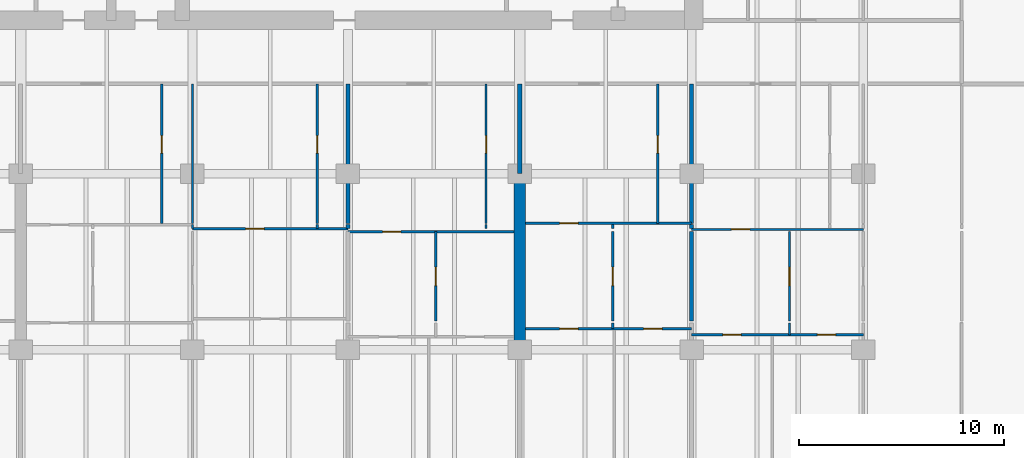
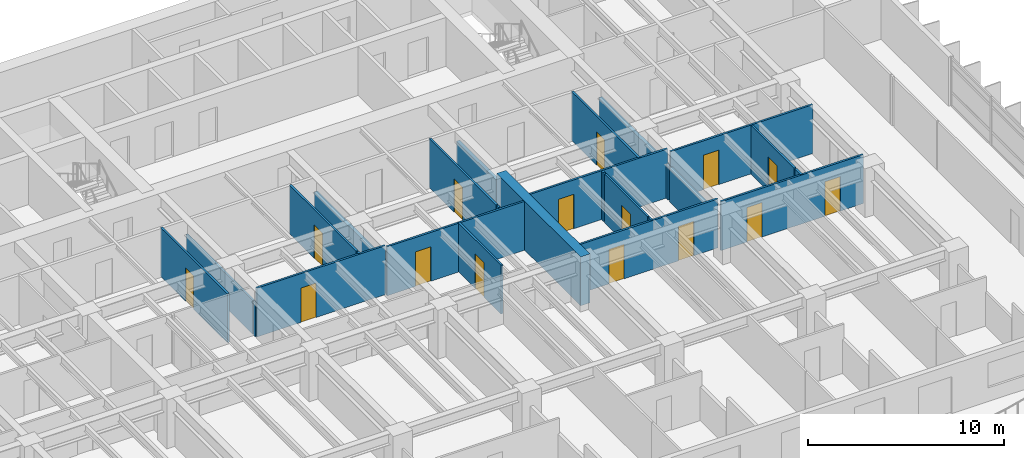
# One storey, part 9 of 17: 27 walls, 15 doors, 15 openings.
"""IFC4 building model written with IfcOpenShell, lengths in metres."""

import ifcopenshell
import ifcopenshell.guid

model = None  # the IFC model being written
_history = None  # IfcOwnerHistory: only IFC2X3 demands one
_inside = {}  # id of a spatial element -> (the spatial element, [elements in it])
_under = {}  # id of a project, library or spatial element -> (it, [spatial elements below it])
_declared = {}  # id of a project -> (the project, [libraries it declares])
_typed = {}  # id of a type object -> (the type object, [elements of that type])
_made_of = {}  # id of a material, layer set ... -> (it, [elements and type objects made of it])


def new_model(schema):
    """Start an empty IFC model of exactly this schema.

    Asked for "IFC4X3", IfcOpenShell would pick the latest addendum, in which some entities
    have other attributes; the version numbers below select the first issue.
    IFC2X3 requires an IfcOwnerHistory on every rooted entity: one is made here for all.
    """
    global model, _history
    if schema == "IFC4X3":
        model = ifcopenshell.file(schema_version=(4, 3, 0, 0))
    else:
        model = ifcopenshell.file(schema=schema)
    _inside.clear()
    _under.clear()
    _declared.clear()
    _typed.clear()
    _made_of.clear()
    _history = None
    if model.schema == "IFC2X3":
        org = make("IfcOrganization", Name="unknown")
        user = make(
            "IfcPersonAndOrganization",
            ThePerson=make("IfcPerson", FamilyName="unknown"),
            TheOrganization=org,
        )
        app = make(
            "IfcApplication",
            ApplicationDeveloper=org,
            Version="unknown",
            ApplicationFullName="unknown",
            ApplicationIdentifier="unknown",
        )
        _history = make(
            "IfcOwnerHistory",
            OwningUser=user,
            OwningApplication=app,
            ChangeAction="ADDED",
            CreationDate=0,
        )
    return model


def make(cls, **values):
    """One entity of the class cls with the attributes given. An attribute that is None is left unset."""
    return model.create_entity(
        cls, **{name: value for name, value in values.items() if value is not None}
    )


def rooted(cls, **values):
    """An entity with a GlobalId (a new one), such as an element, a storey or a relation."""
    return make(cls, GlobalId=ifcopenshell.guid.new(), OwnerHistory=_history, **values)


def si_unit(unit_type, name, prefix=None):
    """IfcSIUnit, for example si_unit("LENGTHUNIT", "METRE", prefix="MILLI")."""
    return make("IfcSIUnit", UnitType=unit_type, Prefix=prefix, Name=name)


def assignment(units):
    """IfcUnitAssignment: the units of a project."""
    return None if units is None else make("IfcUnitAssignment", Units=units)


def point(xyz):
    """IfcCartesianPoint."""
    return None if xyz is None else make("IfcCartesianPoint", Coordinates=xyz)


def direction(xyz):
    """IfcDirection."""
    return None if xyz is None else make("IfcDirection", DirectionRatios=xyz)


def frame(location, z_axis=None, x_axis=None):
    """IfcAxis2Placement3D, a coordinate frame: its origin and axes. An axis left out is left unset."""
    return make(
        "IfcAxis2Placement3D",
        Location=point(location),
        Axis=direction(z_axis),
        RefDirection=direction(x_axis),
    )


def frame_2d(location, x_axis=None):
    """IfcAxis2Placement2D, a coordinate frame in the plane: its origin and x axis."""
    return make(
        "IfcAxis2Placement2D", Location=point(location), RefDirection=direction(x_axis)
    )


def origin():
    """The frame at (0, 0, 0) with its axes left unset."""
    return frame((0.0, 0.0, 0.0))


def place(relative_to, where):
    """IfcLocalPlacement: puts the frame where relative to a parent placement (None: the world)."""
    return make(
        "IfcLocalPlacement", PlacementRelTo=relative_to, RelativePlacement=where
    )


def context(
    kind, dimensions, precision=None, world=None, true_north=None, identifier=None
):
    """IfcGeometricRepresentationContext, for example the 3D "Model" context."""
    return make(
        "IfcGeometricRepresentationContext",
        ContextIdentifier=identifier,
        ContextType=kind,
        CoordinateSpaceDimension=dimensions,
        Precision=precision,
        WorldCoordinateSystem=world,
        TrueNorth=true_north,
    )


def subcontext(parent, identifier, kind, view, scale=None):
    """IfcGeometricRepresentationSubContext, for example "Body" below "Model"."""
    return make(
        "IfcGeometricRepresentationSubContext",
        ContextIdentifier=identifier,
        ContextType=kind,
        ParentContext=parent,
        TargetScale=scale,
        TargetView=view,
    )


def project(units=None, contexts=None):
    """IfcProject with its units and contexts."""
    return rooted(
        "IfcProject",
        Name="project",
        RepresentationContexts=contexts,
        UnitsInContext=assignment(units),
    )


def spatial(cls, under=None, at=None, **own):
    """A site, building, storey or space (cls), placed at a placement, below another one or the project."""
    s = rooted(cls, ObjectPlacement=at, **own)
    if under is not None:
        _under.setdefault(under.id(), (under, []))[1].append(s)
    return s


def profile(cls, at=None, kind="AREA", **sizes):
    """A parametric profile (cls). Its sizes go by their IFC names, for example OverallWidth=200.0."""
    return make(cls, ProfileType=kind, Position=at, **sizes)


def rectangle(**sizes):
    """IfcRectangleProfileDef."""
    return profile("IfcRectangleProfileDef", **sizes)


def extrude(swept, where, along, depth):
    """IfcExtrudedAreaSolid: the profile swept, set in the frame where, extruded along a direction by depth."""
    return make(
        "IfcExtrudedAreaSolid",
        SweptArea=swept,
        Position=where,
        ExtrudedDirection=direction(along),
        Depth=depth,
    )


def shape(context_of_items, identifier, shape_type, items):
    """IfcShapeRepresentation: the items that make up one representation, for example the "Body"."""
    return make(
        "IfcShapeRepresentation",
        ContextOfItems=context_of_items,
        RepresentationIdentifier=identifier,
        RepresentationType=shape_type,
        Items=items,
    )


def material(Name=None, Category=None):
    """IfcMaterial."""
    return make("IfcMaterial", Name=Name, Category=Category)


def layer(
    of_material, thickness, ventilated=None, Name=None, Category=None, Priority=None
):
    """IfcMaterialLayer: one layer of a wall or slab, of a material (None: an air gap)."""
    return make(
        "IfcMaterialLayer",
        Material=of_material,
        LayerThickness=thickness,
        IsVentilated=ventilated,
        Name=Name,
        Category=Category,
        Priority=Priority,
    )


def layer_set(layers, Name=None):
    """IfcMaterialLayerSet."""
    return make("IfcMaterialLayerSet", MaterialLayers=layers, LayerSetName=Name)


def made_of(thing, what):
    """Note that an element or type object is made of a material, layer set ...; save() writes the relation."""
    if what is not None:
        _made_of.setdefault(what.id(), (what, []))[1].append(thing)
    return thing


def type_object(cls, material=None, **own):
    """A type object (cls), such as IfcWallType, which elements share."""
    return made_of(rooted(cls, **own), material)


def element(
    cls,
    number,
    at=None,
    inside=None,
    cuts=None,
    type_object=None,
    material=None,
    context=None,
    identifier="Body",
    shape_type=None,
    held_by="IfcProductDefinitionShape",
    body=None,
    shapes=None,
    **own,
):
    """One element of the class cls, such as IfcWall. Its Tag is "e" and its number.

    at: its placement. inside: the storey or other place that contains it. cuts: it is an
    opening in that element (IfcRelVoidsElement). A single representation is given by context,
    identifier, shape_type and body (its items); several are given by shapes. held_by: the class
    of the entity that holds the representations. save() writes the other relations.
    """
    e = rooted(cls, Tag="e%d" % number, ObjectPlacement=at, **own)
    if body is not None:
        shapes = [shape(context, identifier, shape_type, body)]
    if shapes is not None:
        e.Representation = make(held_by, Representations=shapes)
    if inside is not None:
        _inside.setdefault(inside.id(), (inside, []))[1].append(e)
    if cuts is not None:
        rooted(
            "IfcRelVoidsElement", RelatingBuildingElement=cuts, RelatedOpeningElement=e
        )
    if type_object is not None:
        _typed.setdefault(type_object.id(), (type_object, []))[1].append(e)
    return made_of(e, material)


def fill(opening, filler):
    """IfcRelFillsElement: the door or window that sits in an opening."""
    return rooted(
        "IfcRelFillsElement",
        RelatingOpeningElement=opening,
        RelatedBuildingElement=filler,
    )


def aggregate(whole, parts):
    """IfcRelAggregates: a whole, such as a stair, and the parts it consists of."""
    return rooted("IfcRelAggregates", RelatingObject=whole, RelatedObjects=parts)


def save(model, path):
    """Write the relations noted so far, then the file.

    IfcRelAggregates (storeys below a building ...), IfcRelContainedInSpatialStructure (elements
    in a storey), IfcRelDefinesByType, IfcRelAssociatesMaterial and IfcRelDeclares: one each for
    every whole, place, type object, material and project.
    """
    for whole, parts in _under.values():
        aggregate(whole, parts)
    for where, things in _inside.values():
        rooted(
            "IfcRelContainedInSpatialStructure",
            RelatedElements=things,
            RelatingStructure=where,
        )
    for kind, things in _typed.values():
        rooted("IfcRelDefinesByType", RelatedObjects=things, RelatingType=kind)
    for what, things in _made_of.values():
        rooted("IfcRelAssociatesMaterial", RelatedObjects=things, RelatingMaterial=what)
    for by, libraries in _declared.values():
        rooted("IfcRelDeclares", RelatingContext=by, RelatedDefinitions=libraries)
    model.write(path)


model = new_model("IFC4")

# Units and contexts
model_context = context("Model", 3, precision=1e-05, world=origin(), true_north=direction((0.0, 1.0)))
body_context = subcontext(model_context, "Body", "Model", "MODEL_VIEW")
ifc_project = project(units=[si_unit("LENGTHUNIT", "METRE"), si_unit("AREAUNIT", "SQUARE_METRE"), si_unit("VOLUMEUNIT", "CUBIC_METRE"), si_unit("PLANEANGLEUNIT", "RADIAN"), si_unit("MASSUNIT", "GRAM", prefix="KILO")], contexts=[model_context])

# Site, building, storey
site_placement = place(None, origin())
site = spatial("IfcSite", under=ifc_project, at=site_placement, CompositionType="ELEMENT")
building_placement = place(site_placement, origin())
building = spatial("IfcBuilding", under=site, at=building_placement, Name="Caelmar Bay Residences", CompositionType="ELEMENT")
storey_placement = place(building_placement, frame((0.0, 0.0, 59.699951171875)))
storey = spatial("IfcBuildingStorey", under=building, at=storey_placement, Name="L15", CompositionType="ELEMENT", Elevation=59.699951171875)

# Wall
ifc_material_1 = material(Name="Concrete f'c 70 MPa (10,000 psi)", Category="concrete")
ifc_layer_1 = layer(ifc_material_1, 0.550048828125)
ifc_layer_set_1 = layer_set([ifc_layer_1], Name="Concrete f'c 70 MPa (10,000 psi)")
wall_type_1 = type_object("IfcWallType", Name="SW-XSLB-550", PredefinedType="SHEAR", material=ifc_layer_set_1)
wall_1_placement = place(storey_placement, frame((51.10009765625, 20.800048828125, 0.0), z_axis=(0.0, 0.0, 1.0), x_axis=(0.0, 1.0, 0.0)))
element("IfcWall", 1, at=wall_1_placement, inside=storey, type_object=wall_type_1, Name="L15 Transverse Cross-Slab Shear Wall E8", PredefinedType="SHEAR", context=body_context, shape_type="SweptSolid", body=[
    extrude(rectangle(XDim=8.599853515625, YDim=0.550048828125, at=frame_2d((4.2998046875, 0.0))), origin(), (0.0, 0.0, 1.0), 3.050048828125),
])

# Wall, opening, door
ifc_material_2 = material(Name="Acoustic metal-stud gypsum partition 120 mm")
ifc_layer_2 = layer(ifc_material_2, 0.1201171875)
ifc_layer_set_2 = layer_set([ifc_layer_2], Name="Acoustic metal-stud gypsum partition 120 mm")
wall_type_2 = type_object("IfcWallType", Name="W-PRT-120", PredefinedType="PARTITIONING", material=ifc_layer_set_2)
wall_2_placement = place(storey_placement, frame((33.60009765625, 26.97998046875, 0.0), z_axis=(0.0, 0.0, 1.0), x_axis=(0.0, 1.0, 0.0)))
wall_2 = element("IfcWall", 2, at=wall_2_placement, inside=storey, type_object=wall_type_2, Name="L15 Partition Wall V036", PredefinedType="PARTITIONING", context=body_context, shape_type="SweptSolid", body=[
    extrude(rectangle(XDim=6.820068359375, YDim=0.1201171875, at=frame_2d((3.41015625, 0.0))), origin(), (0.0, 0.0, 1.0), 3.050048828125),
])
opening_1_placement = place(wall_2_placement, frame((3.43505859375, 0.0, 0.0)))
opening_1 = element("IfcOpeningElement", 3, at=opening_1_placement, cuts=wall_2, Name="Opening D-L15-133", PredefinedType="OPENING", context=body_context, shape_type="SweptSolid", body=[
    extrude(rectangle(XDim=0.85009765625, YDim=2.10009765625, at=frame_2d((0.425048828125, 1.050048828125))), frame((0.0, 0.070068359375, 0.0), z_axis=(0.0, -1.0, 0.0), x_axis=(1.0, 0.0, 0.0)), (0.0, 0.0, 1.0), 0.14013671875),
])
ifc_material_3 = material(Name="Solid walnut timber interior door leaf and frame", Category="wood")
ifc_layer_3 = layer(ifc_material_3, 0.050048828125)
ifc_layer_set_3 = layer_set([ifc_layer_3], Name="Solid walnut timber interior door leaf and frame")
door_type_1 = type_object("IfcDoorType", Name="D-BATH-850", OperationType="NOTDEFINED", PredefinedType="DOOR", material=ifc_layer_set_3)
door_1_placement = place(opening_1_placement, origin())
door_1 = element("IfcDoor", 4, at=door_1_placement, inside=storey, type_object=door_type_1, Name="L15 Residence 02 Guest Bathroom Door", OperationType="SINGLE_SWING_RIGHT", OverallHeight=2.10009765625, OverallWidth=0.85009765625, PredefinedType="DOOR", context=body_context, shape_type="SweptSolid", body=[
    extrude(rectangle(XDim=0.85009765625, YDim=2.10009765625, at=frame_2d((0.425048828125, 1.050048828125))), frame((0.0, 0.02490234375, 0.0), z_axis=(0.0, -1.0, 0.0), x_axis=(1.0, 0.0, 0.0)), (0.0, 0.0, 1.0), 0.050048828125),
])
fill(opening_1, door_1)

# Walls
wall_3_placement = place(storey_placement, frame((35.10009765625, 26.719970703125, 0.0), z_axis=(0.0, 0.0, 1.0), x_axis=(0.0, 1.0, 0.0)))
element("IfcWall", 5, at=wall_3_placement, inside=storey, type_object=wall_type_2, Name="L15 Partition Wall V040", PredefinedType="PARTITIONING", context=body_context, shape_type="SweptSolid", body=[
    extrude(rectangle(XDim=0.199951171875, YDim=0.1201171875, at=frame_2d((0.10009765625, 0.0))), origin(), (0.0, 0.0, 1.0), 2.110107421875),
])
wall_4_placement = place(storey_placement, frame((35.10009765625, 26.97998046875, 0.0), z_axis=(0.0, 0.0, 1.0), x_axis=(0.0, 1.0, 0.0)))
element("IfcWall", 6, at=wall_4_placement, inside=storey, type_object=wall_type_2, Name="L15 Partition Wall V041", PredefinedType="PARTITIONING", context=body_context, shape_type="SweptSolid", body=[
    extrude(rectangle(XDim=6.820068359375, YDim=0.1201171875, at=frame_2d((3.41015625, 0.0))), origin(), (0.0, 0.0, 1.0), 2.110107421875),
])
wall_5_placement = place(storey_placement, frame((41.199951171875, 26.719970703125, 0.0), z_axis=(0.0, 0.0, 1.0), x_axis=(0.0, 1.0, 0.0)))
element("IfcWall", 7, at=wall_5_placement, inside=storey, type_object=wall_type_2, Name="L15 Partition Wall V044", PredefinedType="PARTITIONING", context=body_context, shape_type="SweptSolid", body=[
    extrude(rectangle(XDim=0.199951171875, YDim=0.1201171875, at=frame_2d((0.10009765625, 0.0))), origin(), (0.0, 0.0, 1.0), 3.050048828125),
])

# Wall, opening, door
wall_6_placement = place(storey_placement, frame((41.199951171875, 26.97998046875, 0.0), z_axis=(0.0, 0.0, 1.0), x_axis=(0.0, 1.0, 0.0)))
wall_6 = element("IfcWall", 8, at=wall_6_placement, inside=storey, type_object=wall_type_2, Name="L15 Partition Wall V045", PredefinedType="PARTITIONING", context=body_context, shape_type="SweptSolid", body=[
    extrude(rectangle(XDim=6.820068359375, YDim=0.1201171875, at=frame_2d((3.41015625, 0.0))), origin(), (0.0, 0.0, 1.0), 3.050048828125),
])
opening_2_placement = place(wall_6_placement, frame((3.43505859375, 0.0, 0.0)))
opening_2 = element("IfcOpeningElement", 9, at=opening_2_placement, cuts=wall_6, Name="Opening D-L15-139", PredefinedType="OPENING", context=body_context, shape_type="SweptSolid", body=[
    extrude(rectangle(XDim=0.85009765625, YDim=2.10009765625, at=frame_2d((0.425048828125, 1.050048828125))), frame((0.0, 0.070068359375, 0.0), z_axis=(0.0, -1.0, 0.0), x_axis=(1.0, 0.0, 0.0)), (0.0, 0.0, 1.0), 0.14013671875),
])
door_2_placement = place(opening_2_placement, origin())
door_2 = element("IfcDoor", 10, at=door_2_placement, inside=storey, type_object=door_type_1, Name="L15 Residence 02 En-Suite Bathroom 1 Door", OperationType="SINGLE_SWING_RIGHT", OverallHeight=2.10009765625, OverallWidth=0.85009765625, PredefinedType="DOOR", context=body_context, shape_type="SweptSolid", body=[
    extrude(rectangle(XDim=0.85009765625, YDim=2.10009765625, at=frame_2d((0.425048828125, 1.050048828125))), frame((0.0, 0.02490234375, 0.0), z_axis=(0.0, -1.0, 0.0), x_axis=(1.0, 0.0, 0.0)), (0.0, 0.0, 1.0), 0.050048828125),
])
fill(opening_2, door_2)

wall_7_placement = place(storey_placement, frame((46.986083984375, 22.199951171875, 0.0), z_axis=(0.0, 0.0, 1.0), x_axis=(0.0, 1.0, 0.0)))
wall_7 = element("IfcWall", 11, at=wall_7_placement, inside=storey, type_object=wall_type_2, Name="L15 Partition Wall V058", PredefinedType="PARTITIONING", context=body_context, shape_type="SweptSolid", body=[
    extrude(rectangle(XDim=4.380126953125, YDim=0.1201171875, at=frame_2d((2.18994140625, 0.0))), origin(), (0.0, 0.0, 1.0), 3.050048828125),
])
opening_3_placement = place(wall_7_placement, frame((1.739990234375, 0.0, 0.0)))
opening_3 = element("IfcOpeningElement", 12, at=opening_3_placement, cuts=wall_7, Name="Opening D-L15-145", PredefinedType="OPENING", context=body_context, shape_type="SweptSolid", body=[
    extrude(rectangle(XDim=0.89990234375, YDim=2.14990234375, at=frame_2d((0.449951171875, 1.074951171875))), frame((0.0, 0.070068359375, 0.0), z_axis=(0.0, -1.0, 0.0), x_axis=(1.0, 0.0, 0.0)), (0.0, 0.0, 1.0), 0.14013671875),
])
ifc_layer_4 = layer(ifc_material_3, 0.050048828125)
ifc_layer_set_4 = layer_set([ifc_layer_4], Name="Solid walnut timber interior door leaf and frame")
door_type_2 = type_object("IfcDoorType", Name="D-ROOM-900", OperationType="NOTDEFINED", PredefinedType="DOOR", material=ifc_layer_set_4)
door_3_placement = place(opening_3_placement, origin())
door_3 = element("IfcDoor", 13, at=door_3_placement, inside=storey, type_object=door_type_2, Name="L15 Residence 03 Private Meeting Room Door", OperationType="SINGLE_SWING_RIGHT", OverallHeight=2.14990234375, OverallWidth=0.89990234375, PredefinedType="DOOR", context=body_context, shape_type="SweptSolid", body=[
    extrude(rectangle(XDim=0.89990234375, YDim=2.14990234375, at=frame_2d((0.449951171875, 1.074951171875))), frame((0.0, 0.02490234375, 0.0), z_axis=(0.0, -1.0, 0.0), x_axis=(1.0, 0.0, 0.0)), (0.0, 0.0, 1.0), 0.050048828125),
])
fill(opening_3, door_3)

# Wall
wall_8_placement = place(storey_placement, frame((49.449951171875, 26.719970703125, 0.0), z_axis=(0.0, 0.0, 1.0), x_axis=(0.0, 1.0, 0.0)))
element("IfcWall", 14, at=wall_8_placement, inside=storey, type_object=wall_type_2, Name="L15 Partition Wall V060", PredefinedType="PARTITIONING", context=body_context, shape_type="SweptSolid", body=[
    extrude(rectangle(XDim=0.199951171875, YDim=0.1201171875, at=frame_2d((0.10009765625, 0.0))), origin(), (0.0, 0.0, 1.0), 3.050048828125),
])

# Wall, opening, door
wall_9_placement = place(storey_placement, frame((49.449951171875, 26.97998046875, 0.0), z_axis=(0.0, 0.0, 1.0), x_axis=(0.0, 1.0, 0.0)))
wall_9 = element("IfcWall", 15, at=wall_9_placement, inside=storey, type_object=wall_type_2, Name="L15 Partition Wall V061", PredefinedType="PARTITIONING", context=body_context, shape_type="SweptSolid", body=[
    extrude(rectangle(XDim=6.820068359375, YDim=0.1201171875, at=frame_2d((3.41015625, 0.0))), origin(), (0.0, 0.0, 1.0), 3.050048828125),
])
opening_4_placement = place(wall_9_placement, frame((3.43505859375, 0.0, 0.0)))
opening_4 = element("IfcOpeningElement", 16, at=opening_4_placement, cuts=wall_9, Name="Opening D-L15-143", PredefinedType="OPENING", context=body_context, shape_type="SweptSolid", body=[
    extrude(rectangle(XDim=0.85009765625, YDim=2.10009765625, at=frame_2d((0.425048828125, 1.050048828125))), frame((0.0, 0.070068359375, 0.0), z_axis=(0.0, -1.0, 0.0), x_axis=(1.0, 0.0, 0.0)), (0.0, 0.0, 1.0), 0.14013671875),
])
door_4_placement = place(opening_4_placement, origin())
door_4 = element("IfcDoor", 17, at=door_4_placement, inside=storey, type_object=door_type_1, Name="L15 Residence 03 Bathroom Door", OperationType="SINGLE_SWING_RIGHT", OverallHeight=2.10009765625, OverallWidth=0.85009765625, PredefinedType="DOOR", context=body_context, shape_type="SweptSolid", body=[
    extrude(rectangle(XDim=0.85009765625, YDim=2.10009765625, at=frame_2d((0.425048828125, 1.050048828125))), frame((0.0, 0.02490234375, 0.0), z_axis=(0.0, -1.0, 0.0), x_axis=(1.0, 0.0, 0.0)), (0.0, 0.0, 1.0), 0.050048828125),
])
fill(opening_4, door_4)

# Wall
wall_10_placement = place(storey_placement, frame((55.635986328125, 21.830078125, 0.0), z_axis=(0.0, 0.0, 1.0), x_axis=(0.0, 1.0, 0.0)))
element("IfcWall", 18, at=wall_10_placement, inside=storey, type_object=wall_type_2, Name="L15 Partition Wall V069", PredefinedType="PARTITIONING", context=body_context, shape_type="SweptSolid", body=[
    extrude(rectangle(XDim=0.2900390625, YDim=0.1201171875, at=frame_2d((0.14501953125, 0.0))), origin(), (0.0, 0.0, 1.0), 3.050048828125),
])

# Wall, opening, door
wall_11_placement = place(storey_placement, frame((55.635986328125, 22.199951171875, 0.0), z_axis=(0.0, 0.0, 1.0), x_axis=(0.0, 1.0, 0.0)))
wall_11 = element("IfcWall", 19, at=wall_11_placement, inside=storey, type_object=wall_type_2, Name="L15 Partition Wall V070", PredefinedType="PARTITIONING", context=body_context, shape_type="SweptSolid", body=[
    extrude(rectangle(XDim=4.380126953125, YDim=0.1201171875, at=frame_2d((2.18994140625, 0.0))), origin(), (0.0, 0.0, 1.0), 3.050048828125),
])
opening_5_placement = place(wall_11_placement, frame((1.739990234375, 0.0, 0.0)))
opening_5 = element("IfcOpeningElement", 20, at=opening_5_placement, cuts=wall_11, Name="Opening D-L15-152", PredefinedType="OPENING", context=body_context, shape_type="SweptSolid", body=[
    extrude(rectangle(XDim=0.89990234375, YDim=2.14990234375, at=frame_2d((0.449951171875, 1.074951171875))), frame((0.0, 0.070068359375, 0.0), z_axis=(0.0, -1.0, 0.0), x_axis=(1.0, 0.0, 0.0)), (0.0, 0.0, 1.0), 0.14013671875),
])
door_5_placement = place(opening_5_placement, origin())
door_5 = element("IfcDoor", 21, at=door_5_placement, inside=storey, type_object=door_type_2, Name="L15 Residence 04 Private Meeting Room Door", OperationType="SINGLE_SWING_LEFT", OverallHeight=2.14990234375, OverallWidth=0.89990234375, PredefinedType="DOOR", context=body_context, shape_type="SweptSolid", body=[
    extrude(rectangle(XDim=0.89990234375, YDim=2.14990234375, at=frame_2d((0.449951171875, 1.074951171875))), frame((0.0, 0.02490234375, 0.0), z_axis=(0.0, -1.0, 0.0), x_axis=(1.0, 0.0, 0.0)), (0.0, 0.0, 1.0), 0.050048828125),
])
fill(opening_5, door_5)

# Wall
wall_12_placement = place(storey_placement, frame((55.635986328125, 26.719970703125, 0.0), z_axis=(0.0, 0.0, 1.0), x_axis=(0.0, 1.0, 0.0)))
element("IfcWall", 22, at=wall_12_placement, inside=storey, type_object=wall_type_2, Name="L15 Partition Wall V071", PredefinedType="PARTITIONING", context=body_context, shape_type="SweptSolid", body=[
    extrude(rectangle(XDim=0.199951171875, YDim=0.1201171875, at=frame_2d((0.10009765625, 0.0))), origin(), (0.0, 0.0, 1.0), 3.050048828125),
])

# Wall, opening, door
wall_13_placement = place(storey_placement, frame((57.85009765625, 26.97998046875, 0.0), z_axis=(0.0, 0.0, 1.0), x_axis=(0.0, 1.0, 0.0)))
wall_13 = element("IfcWall", 23, at=wall_13_placement, inside=storey, type_object=wall_type_2, Name="L15 Partition Wall V075", PredefinedType="PARTITIONING", context=body_context, shape_type="SweptSolid", body=[
    extrude(rectangle(XDim=6.820068359375, YDim=0.1201171875, at=frame_2d((3.41015625, 0.0))), origin(), (0.0, 0.0, 1.0), 3.050048828125),
])
opening_6_placement = place(wall_13_placement, frame((3.43505859375, 0.0, 0.0)))
opening_6 = element("IfcOpeningElement", 24, at=opening_6_placement, cuts=wall_13, Name="Opening D-L15-150", PredefinedType="OPENING", context=body_context, shape_type="SweptSolid", body=[
    extrude(rectangle(XDim=0.85009765625, YDim=2.10009765625, at=frame_2d((0.425048828125, 1.050048828125))), frame((0.0, 0.070068359375, 0.0), z_axis=(0.0, -1.0, 0.0), x_axis=(1.0, 0.0, 0.0)), (0.0, 0.0, 1.0), 0.14013671875),
])
door_6_placement = place(opening_6_placement, origin())
door_6 = element("IfcDoor", 25, at=door_6_placement, inside=storey, type_object=door_type_1, Name="L15 Residence 04 Bathroom Door", OperationType="SINGLE_SWING_LEFT", OverallHeight=2.10009765625, OverallWidth=0.85009765625, PredefinedType="DOOR", context=body_context, shape_type="SweptSolid", body=[
    extrude(rectangle(XDim=0.85009765625, YDim=2.10009765625, at=frame_2d((0.425048828125, 1.050048828125))), frame((0.0, 0.02490234375, 0.0), z_axis=(0.0, -1.0, 0.0), x_axis=(1.0, 0.0, 0.0)), (0.0, 0.0, 1.0), 0.050048828125),
])
fill(opening_6, door_6)

# Wall
wall_14_placement = place(storey_placement, frame((64.285888671875, 21.530029296875, 0.0), z_axis=(0.0, 0.0, 1.0), x_axis=(0.0, 1.0, 0.0)))
element("IfcWall", 26, at=wall_14_placement, inside=storey, type_object=wall_type_2, Name="L15 Partition Wall V084", PredefinedType="PARTITIONING", context=body_context, shape_type="SweptSolid", body=[
    extrude(rectangle(XDim=0.590087890625, YDim=0.1201171875, at=frame_2d((0.294921875, 0.0))), origin(), (0.0, 0.0, 1.0), 3.050048828125),
])

# Wall, opening, door
wall_15_placement = place(storey_placement, frame((64.285888671875, 22.199951171875, 0.0), z_axis=(0.0, 0.0, 1.0), x_axis=(0.0, 1.0, 0.0)))
wall_15 = element("IfcWall", 27, at=wall_15_placement, inside=storey, type_object=wall_type_2, Name="L15 Partition Wall V085", PredefinedType="PARTITIONING", context=body_context, shape_type="SweptSolid", body=[
    extrude(rectangle(XDim=4.380126953125, YDim=0.1201171875, at=frame_2d((2.18994140625, 0.0))), origin(), (0.0, 0.0, 1.0), 3.050048828125),
])
opening_7_placement = place(wall_15_placement, frame((1.739990234375, 0.0, 0.0)))
opening_7 = element("IfcOpeningElement", 28, at=opening_7_placement, cuts=wall_15, Name="Opening D-L15-159", PredefinedType="OPENING", context=body_context, shape_type="SweptSolid", body=[
    extrude(rectangle(XDim=0.89990234375, YDim=2.14990234375, at=frame_2d((0.449951171875, 1.074951171875))), frame((0.0, 0.070068359375, 0.0), z_axis=(0.0, -1.0, 0.0), x_axis=(1.0, 0.0, 0.0)), (0.0, 0.0, 1.0), 0.14013671875),
])
door_7_placement = place(opening_7_placement, origin())
door_7 = element("IfcDoor", 29, at=door_7_placement, inside=storey, type_object=door_type_2, Name="L15 Residence 05 Private Meeting Room Door", OperationType="SINGLE_SWING_RIGHT", OverallHeight=2.14990234375, OverallWidth=0.89990234375, PredefinedType="DOOR", context=body_context, shape_type="SweptSolid", body=[
    extrude(rectangle(XDim=0.89990234375, YDim=2.14990234375, at=frame_2d((0.449951171875, 1.074951171875))), frame((0.0, 0.02490234375, 0.0), z_axis=(0.0, -1.0, 0.0), x_axis=(1.0, 0.0, 0.0)), (0.0, 0.0, 1.0), 0.050048828125),
])
fill(opening_7, door_7)

# Wall, openings, doors
wall_16_placement = place(storey_placement, frame((59.5, 21.530029296875, 0.0), z_axis=(0.0, 0.0, 1.0), x_axis=(1.0, 0.0, 0.0)))
wall_16 = element("IfcWall", 30, at=wall_16_placement, inside=storey, type_object=wall_type_2, Name="L15 Partition Wall H106", PredefinedType="PARTITIONING", context=body_context, shape_type="SweptSolid", body=[
    extrude(rectangle(XDim=8.39990234375, YDim=0.1201171875, at=frame_2d((4.199951171875, 0.0))), origin(), (0.0, 0.0, 1.0), 3.050048828125),
])
opening_8_placement = place(wall_16_placement, frame((1.52392578125, 0.0, 0.0)))
opening_8 = element("IfcOpeningElement", 31, at=opening_8_placement, cuts=wall_16, Name="Opening D-L15-160", PredefinedType="OPENING", context=body_context, shape_type="SweptSolid", body=[
    extrude(rectangle(XDim=0.89990234375, YDim=2.14990234375, at=frame_2d((0.449951171875, 1.074951171875))), frame((0.0, 0.070068359375, 0.0), z_axis=(0.0, -1.0, 0.0), x_axis=(1.0, 0.0, 0.0)), (0.0, 0.0, 1.0), 0.14013671875),
])
opening_9_placement = place(wall_16_placement, frame((6.14306640625, 0.0, 0.0)))
opening_9 = element("IfcOpeningElement", 32, at=opening_9_placement, cuts=wall_16, Name="Opening D-L15-161", PredefinedType="OPENING", context=body_context, shape_type="SweptSolid", body=[
    extrude(rectangle(XDim=0.89990234375, YDim=2.14990234375, at=frame_2d((0.449951171875, 1.074951171875))), frame((0.0, 0.070068359375, 0.0), z_axis=(0.0, -1.0, 0.0), x_axis=(1.0, 0.0, 0.0)), (0.0, 0.0, 1.0), 0.14013671875),
])
door_8_placement = place(opening_8_placement, origin())
door_8 = element("IfcDoor", 33, at=door_8_placement, inside=storey, type_object=door_type_2, Name="L15 Residence 05 Living Room Door", OperationType="SINGLE_SWING_LEFT", OverallHeight=2.14990234375, OverallWidth=0.89990234375, PredefinedType="DOOR", context=body_context, shape_type="SweptSolid", body=[
    extrude(rectangle(XDim=0.89990234375, YDim=2.14990234375, at=frame_2d((0.449951171875, 1.074951171875))), frame((0.0, 0.02490234375, 0.0), z_axis=(0.0, -1.0, 0.0), x_axis=(1.0, 0.0, 0.0)), (0.0, 0.0, 1.0), 0.050048828125),
])
fill(opening_8, door_8)
door_9_placement = place(opening_9_placement, origin())
door_9 = element("IfcDoor", 34, at=door_9_placement, inside=storey, type_object=door_type_2, Name="L15 Residence 05 Penthouse Sitting Room Door", OperationType="SINGLE_SWING_RIGHT", OverallHeight=2.14990234375, OverallWidth=0.89990234375, PredefinedType="DOOR", context=body_context, shape_type="SweptSolid", body=[
    extrude(rectangle(XDim=0.89990234375, YDim=2.14990234375, at=frame_2d((0.449951171875, 1.074951171875))), frame((0.0, 0.02490234375, 0.0), z_axis=(0.0, -1.0, 0.0), x_axis=(1.0, 0.0, 0.0)), (0.0, 0.0, 1.0), 0.050048828125),
])
fill(opening_9, door_9)

wall_17_placement = place(storey_placement, frame((51.3701171875, 21.830078125, 0.0), z_axis=(0.0, 0.0, 1.0), x_axis=(1.0, 0.0, 0.0)))
wall_17 = element("IfcWall", 35, at=wall_17_placement, inside=storey, type_object=wall_type_2, Name="L15 Partition Wall H107", PredefinedType="PARTITIONING", context=body_context, shape_type="SweptSolid", body=[
    extrude(rectangle(XDim=8.1298828125, YDim=0.1201171875, at=frame_2d((4.06494140625, 0.0))), origin(), (0.0, 0.0, 1.0), 3.050048828125),
])
opening_10_placement = place(wall_17_placement, frame((1.68310546875, 0.0, 0.0)))
opening_10 = element("IfcOpeningElement", 36, at=opening_10_placement, cuts=wall_17, Name="Opening D-L15-153", PredefinedType="OPENING", context=body_context, shape_type="SweptSolid", body=[
    extrude(rectangle(XDim=0.89990234375, YDim=2.14990234375, at=frame_2d((0.449951171875, 1.074951171875))), frame((0.0, 0.070068359375, 0.0), z_axis=(0.0, -1.0, 0.0), x_axis=(1.0, 0.0, 0.0)), (0.0, 0.0, 1.0), 0.14013671875),
])
opening_11_placement = place(wall_17_placement, frame((5.7900390625, 0.0, 0.0)))
opening_11 = element("IfcOpeningElement", 37, at=opening_11_placement, cuts=wall_17, Name="Opening D-L15-154", PredefinedType="OPENING", context=body_context, shape_type="SweptSolid", body=[
    extrude(rectangle(XDim=0.89990234375, YDim=2.14990234375, at=frame_2d((0.449951171875, 1.074951171875))), frame((0.0, 0.070068359375, 0.0), z_axis=(0.0, -1.0, 0.0), x_axis=(1.0, 0.0, 0.0)), (0.0, 0.0, 1.0), 0.14013671875),
])
door_10_placement = place(opening_10_placement, origin())
door_10 = element("IfcDoor", 38, at=door_10_placement, inside=storey, type_object=door_type_2, Name="L15 Residence 04 Penthouse Living Salon Door", OperationType="SINGLE_SWING_RIGHT", OverallHeight=2.14990234375, OverallWidth=0.89990234375, PredefinedType="DOOR", context=body_context, shape_type="SweptSolid", body=[
    extrude(rectangle(XDim=0.89990234375, YDim=2.14990234375, at=frame_2d((0.449951171875, 1.074951171875))), frame((0.0, 0.02490234375, 0.0), z_axis=(0.0, -1.0, 0.0), x_axis=(1.0, 0.0, 0.0)), (0.0, 0.0, 1.0), 0.050048828125),
])
fill(opening_10, door_10)
door_11_placement = place(opening_11_placement, origin())
door_11 = element("IfcDoor", 39, at=door_11_placement, inside=storey, type_object=door_type_2, Name="L15 Residence 04 Penthouse Sitting Room Door", OperationType="SINGLE_SWING_LEFT", OverallHeight=2.14990234375, OverallWidth=0.89990234375, PredefinedType="DOOR", context=body_context, shape_type="SweptSolid", body=[
    extrude(rectangle(XDim=0.89990234375, YDim=2.14990234375, at=frame_2d((0.449951171875, 1.074951171875))), frame((0.0, 0.02490234375, 0.0), z_axis=(0.0, -1.0, 0.0), x_axis=(1.0, 0.0, 0.0)), (0.0, 0.0, 1.0), 0.050048828125),
])
fill(opening_11, door_11)

# Wall, opening, door
wall_18_placement = place(storey_placement, frame((42.699951171875, 26.580078125, 0.0), z_axis=(0.0, 0.0, 1.0), x_axis=(1.0, 0.0, 0.0)))
wall_18 = element("IfcWall", 40, at=wall_18_placement, inside=storey, type_object=wall_type_2, Name="L15 Partition Wall H112", PredefinedType="PARTITIONING", context=body_context, shape_type="SweptSolid", body=[
    extrude(rectangle(XDim=8.130126953125, YDim=0.1201171875, at=frame_2d((4.06494140625, 0.0))), origin(), (0.0, 0.0, 1.0), 3.050048828125),
])
opening_12_placement = place(wall_18_placement, frame((1.693115234375, 0.0, 0.0)))
opening_12 = element("IfcOpeningElement", 41, at=opening_12_placement, cuts=wall_18, Name="Opening D-L15-144", PredefinedType="OPENING", context=body_context, shape_type="SweptSolid", body=[
    extrude(rectangle(XDim=0.89990234375, YDim=2.14990234375, at=frame_2d((0.449951171875, 1.074951171875))), frame((0.0, 0.070068359375, 0.0), z_axis=(0.0, -1.0, 0.0), x_axis=(1.0, 0.0, 0.0)), (0.0, 0.0, 1.0), 0.14013671875),
])
door_12_placement = place(opening_12_placement, origin())
door_12 = element("IfcDoor", 42, at=door_12_placement, inside=storey, type_object=door_type_2, Name="L15 Residence 03 Kitchen Door", OperationType="SINGLE_SWING_LEFT", OverallHeight=2.14990234375, OverallWidth=0.89990234375, PredefinedType="DOOR", context=body_context, shape_type="SweptSolid", body=[
    extrude(rectangle(XDim=0.89990234375, YDim=2.14990234375, at=frame_2d((0.449951171875, 1.074951171875))), frame((0.0, 0.02490234375, 0.0), z_axis=(0.0, -1.0, 0.0), x_axis=(1.0, 0.0, 0.0)), (0.0, 0.0, 1.0), 0.050048828125),
])
fill(opening_12, door_12)

wall_19_placement = place(storey_placement, frame((59.5, 26.679931640625, 0.0), z_axis=(0.0, 0.0, 1.0), x_axis=(1.0, 0.0, 0.0)))
wall_19 = element("IfcWall", 43, at=wall_19_placement, inside=storey, type_object=wall_type_2, Name="L15 Partition Wall H114", PredefinedType="PARTITIONING", context=body_context, shape_type="SweptSolid", body=[
    extrude(rectangle(XDim=8.39990234375, YDim=0.1201171875, at=frame_2d((4.199951171875, 0.0))), origin(), (0.0, 0.0, 1.0), 3.050048828125),
])
opening_13_placement = place(wall_19_placement, frame((1.943115234375, 0.0, 0.0)))
opening_13 = element("IfcOpeningElement", 44, at=opening_13_placement, cuts=wall_19, Name="Opening D-L15-158", PredefinedType="OPENING", context=body_context, shape_type="SweptSolid", body=[
    extrude(rectangle(XDim=0.89990234375, YDim=2.14990234375, at=frame_2d((0.449951171875, 1.074951171875))), frame((0.0, 0.070068359375, 0.0), z_axis=(0.0, -1.0, 0.0), x_axis=(1.0, 0.0, 0.0)), (0.0, 0.0, 1.0), 0.14013671875),
])
door_13_placement = place(opening_13_placement, origin())
door_13 = element("IfcDoor", 45, at=door_13_placement, inside=storey, type_object=door_type_2, Name="L15 Residence 05 Kitchen Door", OperationType="SINGLE_SWING_LEFT", OverallHeight=2.14990234375, OverallWidth=0.89990234375, PredefinedType="DOOR", context=body_context, shape_type="SweptSolid", body=[
    extrude(rectangle(XDim=0.89990234375, YDim=2.14990234375, at=frame_2d((0.449951171875, 1.074951171875))), frame((0.0, 0.02490234375, 0.0), z_axis=(0.0, -1.0, 0.0), x_axis=(1.0, 0.0, 0.0)), (0.0, 0.0, 1.0), 0.050048828125),
])
fill(opening_13, door_13)

wall_20_placement = place(storey_placement, frame((35.10009765625, 26.719970703125, 0.0), z_axis=(0.0, 0.0, 1.0), x_axis=(1.0, 0.0, 0.0)))
wall_20 = element("IfcWall", 46, at=wall_20_placement, inside=storey, type_object=wall_type_2, Name="L15 Partition Wall H115", PredefinedType="PARTITIONING", context=body_context, shape_type="SweptSolid", body=[
    extrude(rectangle(XDim=7.594970703125, YDim=0.1201171875, at=frame_2d((3.79736328125, 0.0))), origin(), (0.0, 0.0, 1.0), 3.050048828125),
])
opening_14_placement = place(wall_20_placement, frame((2.60009765625, 0.0, 0.0)))
opening_14 = element("IfcOpeningElement", 47, at=opening_14_placement, cuts=wall_20, Name="Opening D-L15-138", PredefinedType="OPENING", context=body_context, shape_type="SweptSolid", body=[
    extrude(rectangle(XDim=0.89990234375, YDim=2.14990234375, at=frame_2d((0.449951171875, 1.074951171875))), frame((0.0, 0.070068359375, 0.0), z_axis=(0.0, -1.0, 0.0), x_axis=(1.0, 0.0, 0.0)), (0.0, 0.0, 1.0), 0.14013671875),
])
door_14_placement = place(opening_14_placement, origin())
door_14 = element("IfcDoor", 48, at=door_14_placement, inside=storey, type_object=door_type_2, Name="L15 Residence 02 Private Meeting Room 1 Door", OperationType="SINGLE_SWING_LEFT", OverallHeight=2.14990234375, OverallWidth=0.89990234375, PredefinedType="DOOR", context=body_context, shape_type="SweptSolid", body=[
    extrude(rectangle(XDim=0.89990234375, YDim=2.14990234375, at=frame_2d((0.449951171875, 1.074951171875))), frame((0.0, 0.02490234375, 0.0), z_axis=(0.0, -1.0, 0.0), x_axis=(1.0, 0.0, 0.0)), (0.0, 0.0, 1.0), 0.050048828125),
])
fill(opening_14, door_14)

wall_21_placement = place(storey_placement, frame((51.3701171875, 26.97998046875, 0.0), z_axis=(0.0, 0.0, 1.0), x_axis=(1.0, 0.0, 0.0)))
wall_21 = element("IfcWall", 49, at=wall_21_placement, inside=storey, type_object=wall_type_2, Name="L15 Partition Wall H118", PredefinedType="PARTITIONING", context=body_context, shape_type="SweptSolid", body=[
    extrude(rectangle(XDim=8.1298828125, YDim=0.1201171875, at=frame_2d((4.06494140625, 0.0))), origin(), (0.0, 0.0, 1.0), 3.050048828125),
])
opening_15_placement = place(wall_21_placement, frame((1.68310546875, 0.0, 0.0)))
opening_15 = element("IfcOpeningElement", 50, at=opening_15_placement, cuts=wall_21, Name="Opening D-L15-151", PredefinedType="OPENING", context=body_context, shape_type="SweptSolid", body=[
    extrude(rectangle(XDim=0.89990234375, YDim=2.14990234375, at=frame_2d((0.449951171875, 1.074951171875))), frame((0.0, 0.070068359375, 0.0), z_axis=(0.0, -1.0, 0.0), x_axis=(1.0, 0.0, 0.0)), (0.0, 0.0, 1.0), 0.14013671875),
])
door_15_placement = place(opening_15_placement, origin())
door_15 = element("IfcDoor", 51, at=door_15_placement, inside=storey, type_object=door_type_2, Name="L15 Residence 04 Kitchen Door", OperationType="SINGLE_SWING_RIGHT", OverallHeight=2.14990234375, OverallWidth=0.89990234375, PredefinedType="DOOR", context=body_context, shape_type="SweptSolid", body=[
    extrude(rectangle(XDim=0.89990234375, YDim=2.14990234375, at=frame_2d((0.449951171875, 1.074951171875))), frame((0.0, 0.02490234375, 0.0), z_axis=(0.0, -1.0, 0.0), x_axis=(1.0, 0.0, 0.0)), (0.0, 0.0, 1.0), 0.050048828125),
])
fill(opening_15, door_15)

# Walls
ifc_material_4 = material(Name="Acoustic twin-stud fire-rated inter-tenancy partition 200 mm")
ifc_layer_5 = layer(ifc_material_4, 0.199951171875)
ifc_layer_set_5 = layer_set([ifc_layer_5], Name="Acoustic twin-stud fire-rated inter-tenancy partition 200 mm")
wall_type_3 = type_object("IfcWallType", Name="W-PTY-200", PredefinedType="PARTITIONING", material=ifc_layer_set_5)
wall_22_placement = place(storey_placement, frame((42.699951171875, 26.719970703125, 0.0), z_axis=(0.0, 0.0, 1.0), x_axis=(0.0, 1.0, 0.0)))
element("IfcWall", 52, at=wall_22_placement, inside=storey, type_object=wall_type_3, Name="L15 Partition Wall V050", PredefinedType="PARTITIONING", context=body_context, shape_type="SweptSolid", body=[
    extrude(rectangle(XDim=0.199951171875, YDim=0.199951171875, at=frame_2d((0.10009765625, 0.0))), origin(), (0.0, 0.0, 1.0), 2.110107421875),
])
wall_23_placement = place(storey_placement, frame((42.699951171875, 26.97998046875, 0.0), z_axis=(0.0, 0.0, 1.0), x_axis=(0.0, 1.0, 0.0)))
element("IfcWall", 53, at=wall_23_placement, inside=storey, type_object=wall_type_3, Name="L15 Partition Wall V051", PredefinedType="PARTITIONING", context=body_context, shape_type="SweptSolid", body=[
    extrude(rectangle(XDim=6.820068359375, YDim=0.199951171875, at=frame_2d((3.41015625, 0.0))), origin(), (0.0, 0.0, 1.0), 2.110107421875),
])
wall_24_placement = place(storey_placement, frame((51.10009765625, 29.405029296875, 0.0), z_axis=(0.0, 0.0, 1.0), x_axis=(0.0, 1.0, 0.0)))
element("IfcWall", 54, at=wall_24_placement, inside=storey, type_object=wall_type_3, Name="L15 Partition Wall V067", PredefinedType="PARTITIONING", context=body_context, shape_type="SweptSolid", body=[
    extrude(rectangle(XDim=4.39501953125, YDim=0.199951171875, at=frame_2d((2.197509765625, 0.0))), origin(), (0.0, 0.0, 1.0), 2.3349609375),
])
wall_25_placement = place(storey_placement, frame((59.5, 22.199951171875, 0.0), z_axis=(0.0, 0.0, 1.0), x_axis=(0.0, 1.0, 0.0)))
element("IfcWall", 55, at=wall_25_placement, inside=storey, type_object=wall_type_3, Name="L15 Partition Wall V078", PredefinedType="PARTITIONING", context=body_context, shape_type="SweptSolid", body=[
    extrude(rectangle(XDim=4.380126953125, YDim=0.199951171875, at=frame_2d((2.18994140625, 0.0))), origin(), (0.0, 0.0, 1.0), 2.110107421875),
])
wall_26_placement = place(storey_placement, frame((59.5, 26.719970703125, 0.0), z_axis=(0.0, 0.0, 1.0), x_axis=(0.0, 1.0, 0.0)))
element("IfcWall", 56, at=wall_26_placement, inside=storey, type_object=wall_type_3, Name="L15 Partition Wall V079", PredefinedType="PARTITIONING", context=body_context, shape_type="SweptSolid", body=[
    extrude(rectangle(XDim=0.199951171875, YDim=0.199951171875, at=frame_2d((0.10009765625, 0.0))), origin(), (0.0, 0.0, 1.0), 2.110107421875),
])
wall_27_placement = place(storey_placement, frame((59.5, 26.97998046875, 0.0), z_axis=(0.0, 0.0, 1.0), x_axis=(0.0, 1.0, 0.0)))
element("IfcWall", 57, at=wall_27_placement, inside=storey, type_object=wall_type_3, Name="L15 Partition Wall V080", PredefinedType="PARTITIONING", context=body_context, shape_type="SweptSolid", body=[
    extrude(rectangle(XDim=6.820068359375, YDim=0.199951171875, at=frame_2d((3.41015625, 0.0))), origin(), (0.0, 0.0, 1.0), 2.110107421875),
])

save(model, "model.ifc")
